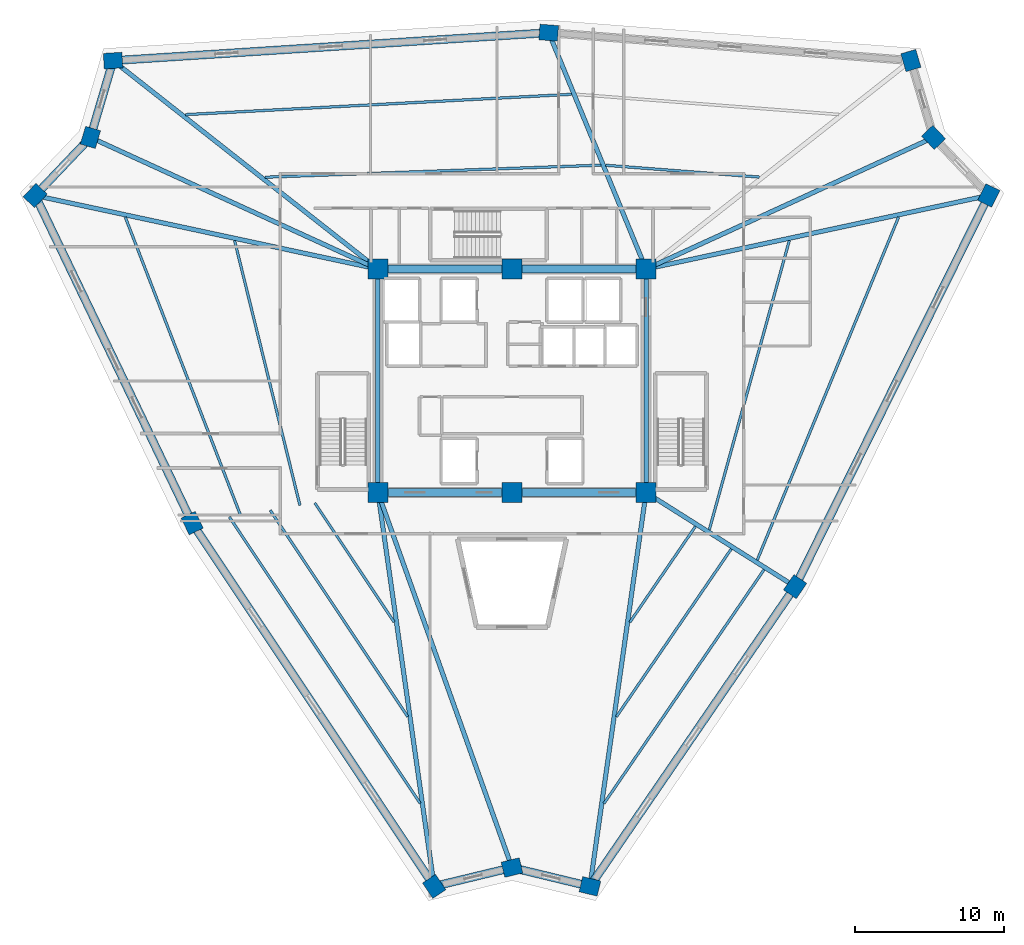
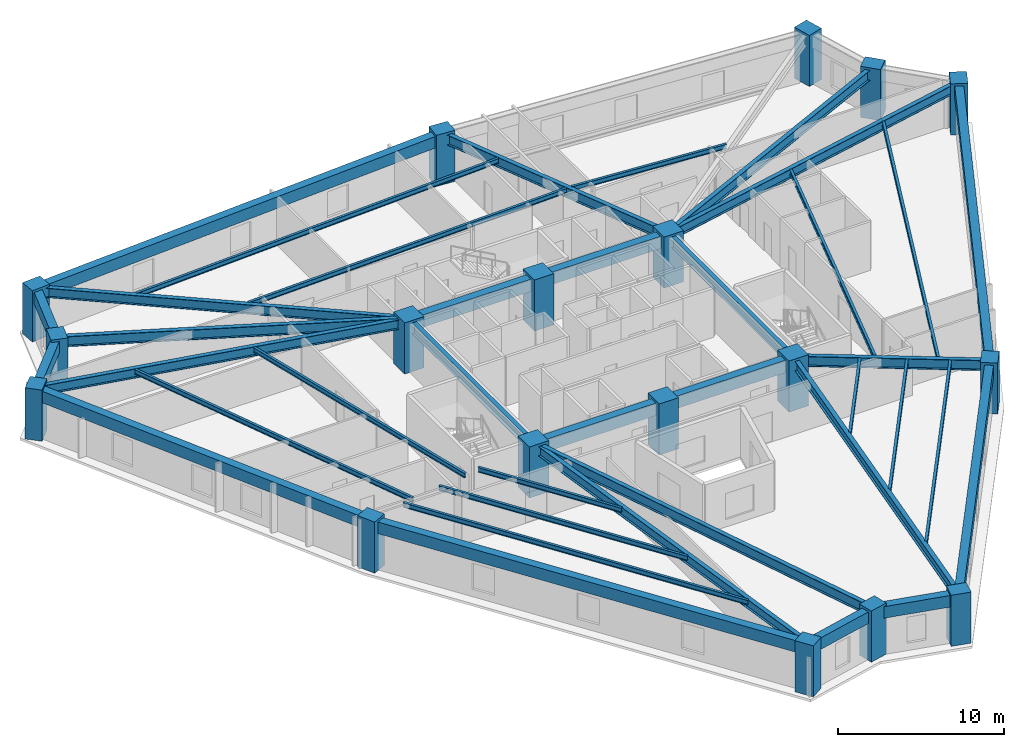
# One storey, part 1 of 8: 38 beams, 18 columns.
"""IFC4 building model written with IfcOpenShell, lengths in metres."""

import ifcopenshell
import ifcopenshell.guid

model = None  # the IFC model being written
_history = None  # IfcOwnerHistory: only IFC2X3 demands one
_inside = {}  # id of a spatial element -> (the spatial element, [elements in it])
_under = {}  # id of a project, library or spatial element -> (it, [spatial elements below it])
_declared = {}  # id of a project -> (the project, [libraries it declares])
_typed = {}  # id of a type object -> (the type object, [elements of that type])
_made_of = {}  # id of a material, layer set ... -> (it, [elements and type objects made of it])


def new_model(schema):
    """Start an empty IFC model of exactly this schema.

    Asked for "IFC4X3", IfcOpenShell would pick the latest addendum, in which some entities
    have other attributes; the version numbers below select the first issue.
    IFC2X3 requires an IfcOwnerHistory on every rooted entity: one is made here for all.
    """
    global model, _history
    if schema == "IFC4X3":
        model = ifcopenshell.file(schema_version=(4, 3, 0, 0))
    else:
        model = ifcopenshell.file(schema=schema)
    _inside.clear()
    _under.clear()
    _declared.clear()
    _typed.clear()
    _made_of.clear()
    _history = None
    if model.schema == "IFC2X3":
        org = make("IfcOrganization", Name="unknown")
        user = make(
            "IfcPersonAndOrganization",
            ThePerson=make("IfcPerson", FamilyName="unknown"),
            TheOrganization=org,
        )
        app = make(
            "IfcApplication",
            ApplicationDeveloper=org,
            Version="unknown",
            ApplicationFullName="unknown",
            ApplicationIdentifier="unknown",
        )
        _history = make(
            "IfcOwnerHistory",
            OwningUser=user,
            OwningApplication=app,
            ChangeAction="ADDED",
            CreationDate=0,
        )
    return model


def make(cls, **values):
    """One entity of the class cls with the attributes given. An attribute that is None is left unset."""
    return model.create_entity(
        cls, **{name: value for name, value in values.items() if value is not None}
    )


def rooted(cls, **values):
    """An entity with a GlobalId (a new one), such as an element, a storey or a relation."""
    return make(cls, GlobalId=ifcopenshell.guid.new(), OwnerHistory=_history, **values)


def si_unit(unit_type, name, prefix=None):
    """IfcSIUnit, for example si_unit("LENGTHUNIT", "METRE", prefix="MILLI")."""
    return make("IfcSIUnit", UnitType=unit_type, Prefix=prefix, Name=name)


def assignment(units):
    """IfcUnitAssignment: the units of a project."""
    return None if units is None else make("IfcUnitAssignment", Units=units)


def point(xyz):
    """IfcCartesianPoint."""
    return None if xyz is None else make("IfcCartesianPoint", Coordinates=xyz)


def direction(xyz):
    """IfcDirection."""
    return None if xyz is None else make("IfcDirection", DirectionRatios=xyz)


def frame(location, z_axis=None, x_axis=None):
    """IfcAxis2Placement3D, a coordinate frame: its origin and axes. An axis left out is left unset."""
    return make(
        "IfcAxis2Placement3D",
        Location=point(location),
        Axis=direction(z_axis),
        RefDirection=direction(x_axis),
    )


def frame_2d(location, x_axis=None):
    """IfcAxis2Placement2D, a coordinate frame in the plane: its origin and x axis."""
    return make(
        "IfcAxis2Placement2D", Location=point(location), RefDirection=direction(x_axis)
    )


def origin():
    """The frame at (0, 0, 0) with its axes left unset."""
    return frame((0.0, 0.0, 0.0))


def origin_2d():
    """The frame at (0, 0) in the plane with its x axis left unset."""
    return frame_2d((0.0, 0.0))


def place(relative_to, where):
    """IfcLocalPlacement: puts the frame where relative to a parent placement (None: the world)."""
    return make(
        "IfcLocalPlacement", PlacementRelTo=relative_to, RelativePlacement=where
    )


def context(
    kind, dimensions, precision=None, world=None, true_north=None, identifier=None
):
    """IfcGeometricRepresentationContext, for example the 3D "Model" context."""
    return make(
        "IfcGeometricRepresentationContext",
        ContextIdentifier=identifier,
        ContextType=kind,
        CoordinateSpaceDimension=dimensions,
        Precision=precision,
        WorldCoordinateSystem=world,
        TrueNorth=true_north,
    )


def subcontext(parent, identifier, kind, view, scale=None):
    """IfcGeometricRepresentationSubContext, for example "Body" below "Model"."""
    return make(
        "IfcGeometricRepresentationSubContext",
        ContextIdentifier=identifier,
        ContextType=kind,
        ParentContext=parent,
        TargetScale=scale,
        TargetView=view,
    )


def project(units=None, contexts=None):
    """IfcProject with its units and contexts."""
    return rooted(
        "IfcProject",
        Name="project",
        RepresentationContexts=contexts,
        UnitsInContext=assignment(units),
    )


def spatial(cls, under=None, at=None, **own):
    """A site, building, storey or space (cls), placed at a placement, below another one or the project."""
    s = rooted(cls, ObjectPlacement=at, **own)
    if under is not None:
        _under.setdefault(under.id(), (under, []))[1].append(s)
    return s


def profile(cls, at=None, kind="AREA", **sizes):
    """A parametric profile (cls). Its sizes go by their IFC names, for example OverallWidth=200.0."""
    return make(cls, ProfileType=kind, Position=at, **sizes)


def rectangle(**sizes):
    """IfcRectangleProfileDef."""
    return profile("IfcRectangleProfileDef", **sizes)


def i_section(**sizes):
    """IfcIShapeProfileDef."""
    return profile("IfcIShapeProfileDef", **sizes)


def extrude(swept, where, along, depth):
    """IfcExtrudedAreaSolid: the profile swept, set in the frame where, extruded along a direction by depth."""
    return make(
        "IfcExtrudedAreaSolid",
        SweptArea=swept,
        Position=where,
        ExtrudedDirection=direction(along),
        Depth=depth,
    )


def shape(context_of_items, identifier, shape_type, items):
    """IfcShapeRepresentation: the items that make up one representation, for example the "Body"."""
    return make(
        "IfcShapeRepresentation",
        ContextOfItems=context_of_items,
        RepresentationIdentifier=identifier,
        RepresentationType=shape_type,
        Items=items,
    )


def source(mapping_origin, context_of_items, identifier, shape_type, items):
    """IfcRepresentationMap: a shape defined once, which mapped items show again and again."""
    return make(
        "IfcRepresentationMap",
        MappingOrigin=mapping_origin,
        MappedRepresentation=shape(context_of_items, identifier, shape_type, items),
    )


def transform(
    local_origin,
    x_axis=None,
    y_axis=None,
    z_axis=None,
    scale=None,
    scale2=None,
    scale3=None,
    uniform=True,
):
    """IfcCartesianTransformationOperator3D, or its non-uniform kind. x_axis, y_axis, z_axis: its Axis1, 2, 3."""
    if uniform:
        return make(
            "IfcCartesianTransformationOperator3D",
            Axis1=direction(x_axis),
            Axis2=direction(y_axis),
            LocalOrigin=point(local_origin),
            Scale=scale,
            Axis3=direction(z_axis),
        )
    return make(
        "IfcCartesianTransformationOperator3DnonUniform",
        Axis1=direction(x_axis),
        Axis2=direction(y_axis),
        LocalOrigin=point(local_origin),
        Scale=scale,
        Axis3=direction(z_axis),
        Scale2=scale2,
        Scale3=scale3,
    )


def mapped(mapping_source, mapping_target):
    """IfcMappedItem: shows the shape of a source again, moved by a transform."""
    return make(
        "IfcMappedItem", MappingSource=mapping_source, MappingTarget=mapping_target
    )


def material(Name=None, Category=None):
    """IfcMaterial."""
    return make("IfcMaterial", Name=Name, Category=Category)


def material_profile(
    of_material, cross_section, Name=None, Category=None, Priority=None
):
    """IfcMaterialProfile: a cross section and its material."""
    return make(
        "IfcMaterialProfile",
        Name=Name,
        Material=of_material,
        Profile=cross_section,
        Priority=Priority,
        Category=Category,
    )


def profile_set(profiles, Name=None, composite=None):
    """IfcMaterialProfileSet."""
    return make(
        "IfcMaterialProfileSet",
        Name=Name,
        MaterialProfiles=profiles,
        CompositeProfile=composite,
    )


def made_of(thing, what):
    """Note that an element or type object is made of a material, layer set ...; save() writes the relation."""
    if what is not None:
        _made_of.setdefault(what.id(), (what, []))[1].append(thing)
    return thing


def type_object(cls, material=None, **own):
    """A type object (cls), such as IfcWallType, which elements share."""
    return made_of(rooted(cls, **own), material)


def element(
    cls,
    number,
    at=None,
    inside=None,
    cuts=None,
    type_object=None,
    material=None,
    context=None,
    identifier="Body",
    shape_type=None,
    held_by="IfcProductDefinitionShape",
    body=None,
    shapes=None,
    **own,
):
    """One element of the class cls, such as IfcWall. Its Tag is "e" and its number.

    at: its placement. inside: the storey or other place that contains it. cuts: it is an
    opening in that element (IfcRelVoidsElement). A single representation is given by context,
    identifier, shape_type and body (its items); several are given by shapes. held_by: the class
    of the entity that holds the representations. save() writes the other relations.
    """
    e = rooted(cls, Tag="e%d" % number, ObjectPlacement=at, **own)
    if body is not None:
        shapes = [shape(context, identifier, shape_type, body)]
    if shapes is not None:
        e.Representation = make(held_by, Representations=shapes)
    if inside is not None:
        _inside.setdefault(inside.id(), (inside, []))[1].append(e)
    if cuts is not None:
        rooted(
            "IfcRelVoidsElement", RelatingBuildingElement=cuts, RelatedOpeningElement=e
        )
    if type_object is not None:
        _typed.setdefault(type_object.id(), (type_object, []))[1].append(e)
    return made_of(e, material)


def aggregate(whole, parts):
    """IfcRelAggregates: a whole, such as a stair, and the parts it consists of."""
    return rooted("IfcRelAggregates", RelatingObject=whole, RelatedObjects=parts)


def save(model, path):
    """Write the relations noted so far, then the file.

    IfcRelAggregates (storeys below a building ...), IfcRelContainedInSpatialStructure (elements
    in a storey), IfcRelDefinesByType, IfcRelAssociatesMaterial and IfcRelDeclares: one each for
    every whole, place, type object, material and project.
    """
    for whole, parts in _under.values():
        aggregate(whole, parts)
    for where, things in _inside.values():
        rooted(
            "IfcRelContainedInSpatialStructure",
            RelatedElements=things,
            RelatingStructure=where,
        )
    for kind, things in _typed.values():
        rooted("IfcRelDefinesByType", RelatedObjects=things, RelatingType=kind)
    for what, things in _made_of.values():
        rooted("IfcRelAssociatesMaterial", RelatedObjects=things, RelatingMaterial=what)
    for by, libraries in _declared.values():
        rooted("IfcRelDeclares", RelatingContext=by, RelatedDefinitions=libraries)
    model.write(path)


model = new_model("IFC4")

# Units and contexts
model_context = context("Model", 3, precision=1e-05, world=origin(), true_north=direction((0.0, 1.0)))
body_context = subcontext(model_context, "Body", "Model", "MODEL_VIEW")
ifc_project = project(units=[si_unit("LENGTHUNIT", "METRE"), si_unit("AREAUNIT", "SQUARE_METRE"), si_unit("VOLUMEUNIT", "CUBIC_METRE"), si_unit("PLANEANGLEUNIT", "RADIAN"), si_unit("MASSUNIT", "GRAM", prefix="KILO")], contexts=[model_context])

# Site, building, storey
site_placement = place(None, origin())
site = spatial("IfcSite", under=ifc_project, at=site_placement, CompositionType="ELEMENT")
building_placement = place(site_placement, origin())
building = spatial("IfcBuilding", under=site, at=building_placement, Name="Liaohun Quay Tower", CompositionType="ELEMENT")
storey_placement = place(building_placement, frame((0.0, 0.0, 251.25)))
storey = spatial("IfcBuildingStorey", under=building, at=storey_placement, Name="L65", CompositionType="ELEMENT", Elevation=251.25)

# Columns
ifc_material_1 = material(Name="Concrete C55", Category="concrete")
ifc_material_profile_1 = material_profile(ifc_material_1, rectangle(XDim=1.35009765625, YDim=1.35009765625, at=origin_2d()), Name="RC1350x1350")
ifc_profile_set_1 = profile_set([ifc_material_profile_1], Name="Concrete C55")
column_type_1 = type_object("IfcColumnType", Name="COL-CC-Z3", PredefinedType="COLUMN", material=ifc_profile_set_1)
shared_shape_1 = source(origin(), body_context, "Body", "SweptSolid", [
    extrude(rectangle(XDim=1.35009765625, YDim=1.35009765625, at=origin_2d()), origin(), (0.0, 0.0, 1.0), 3.75),
])
for number, where, z_axis, x_axis, name in (
    (1, (51.0, 46.5, 0.0), (0.0, 0.0, 1.0), (1.0, 0.0, 0.0), "L65 Core Column CC1"),
    (2, (60.0, 46.5, 0.0), (0.0, 0.0, 1.0), (1.0, 0.0, 0.0), "L65 Core Column CC2"),
    (3, (69.0, 46.5, 0.0), (0.0, 0.0, 1.0), (1.0, 0.0, 0.0), "L65 Core Column CC3"),
    (4, (69.0, 61.5, 0.0), (0.0, 0.0, 1.0), (1.0, 0.0, 0.0), "L65 Core Column CC4"),
    (5, (60.0, 61.5, 0.0), (0.0, 0.0, 1.0), (1.0, 0.0, 0.0), "L65 Core Column CC5"),
    (6, (51.0, 61.5, 0.0), (0.0, 0.0, 1.0), (1.0, 0.0, 0.0), "L65 Core Column CC6"),
):
    element("IfcColumn", number, at=place(storey_placement, frame(where, z_axis=z_axis, x_axis=x_axis)), inside=storey, type_object=column_type_1, Name=name, PredefinedType="COLUMN", context=body_context, shape_type="MappedRepresentation", body=[
        mapped(shared_shape_1, transform((0.0, 0.0, 0.0), x_axis=(1.0, 0.0, 0.0), y_axis=(0.0, 1.0, 0.0), z_axis=(0.0, 0.0, 1.0), scale=1.0)),
    ])
ifc_material_profile_2 = material_profile(ifc_material_1, rectangle(XDim=1.25, YDim=1.050048828125, at=origin_2d()), Name="RC1250x1050")
ifc_profile_set_2 = profile_set([ifc_material_profile_2], Name="Concrete C55")
column_type_2 = type_object("IfcColumnType", Name="COL-PIER-Z3", PredefinedType="COLUMN", material=ifc_profile_set_2)
shared_shape_2 = source(origin(), body_context, "Body", "SweptSolid", [
    extrude(rectangle(XDim=1.25, YDim=1.050048828125, at=origin_2d()), origin(), (0.0, 0.0, 1.0), 3.75),
])
for number, where, z_axis, x_axis, name in (
    (7, (54.77587890625, 20.06005859375, 0.0), (0.0, 0.0, 1.0), (-0.554408741251, 0.832244523938, 0.0), "L65 Perimeter Pier PC01"),
    (8, (38.530029296875, 44.447998046875, 0.0), (0.0, 0.0, 1.0), (-0.432243141689, 0.90175709948, 0.0), "L65 Perimeter Pier PC02"),
    (9, (27.989990234375, 66.44091796875, 0.0), (0.0, 0.0, 1.0), (0.68936671806, 0.724412539946, 0.0), "L65 Perimeter Pier PC03"),
    (10, (31.698974609375, 70.339111328125, 0.0), (0.0, 0.0, 1.0), (0.28284371374, 0.959166009405, 0.0), "L65 Perimeter Pier PC04"),
    (11, (33.218994140625, 75.493896484375, 0.0), (0.0, 0.0, 1.0), (0.997949270516, 0.064009792035, 0.0), "L65 Perimeter Pier PC05"),
    (12, (62.464111328125, 77.3701171875, 0.0), (0.0, 0.0, 1.0), (-0.997066127037, 0.076545008426, 0.0), "L65 Perimeter Pier PC06"),
    (13, (86.778076171875, 75.5009765625, 0.0), (0.0, 0.0, 1.0), (-0.28284371374, 0.959166009405, 0.0), "L65 Perimeter Pier PC07"),
    (14, (88.301025390625, 70.339111328125, 0.0), (0.0, 0.0, 1.0), (-0.68936671806, 0.724412539946, 0.0), "L65 Perimeter Pier PC08"),
    (15, (92.0048828125, 66.446044921875, 0.0), (0.0, 0.0, 1.0), (0.443540529265, 0.896254315973, 0.0), "L65 Perimeter Pier PC09"),
    (16, (79.008056640625, 40.181884765625, 0.0), (0.0, 0.0, 1.0), (0.564822985348, 0.825212091054, 0.0), "L65 Perimeter Pier PC10"),
    (17, (65.23193359375, 20.05810546875, 0.0), (0.0, 0.0, 1.0), (-0.972043021443, 0.234802820391, 0.0), "L65 Perimeter Pier PC11"),
    (18, (60.0, 21.321044921875, 0.0), (0.0, 0.0, 1.0), (0.972043021443, 0.234802820391, 0.0), "L65 Perimeter Pier PC12"),
):
    element("IfcColumn", number, at=place(storey_placement, frame(where, z_axis=z_axis, x_axis=x_axis)), inside=storey, type_object=column_type_2, Name=name, PredefinedType="COLUMN", context=body_context, shape_type="MappedRepresentation", body=[
        mapped(shared_shape_2, transform((0.0, 0.0, 0.0), x_axis=(1.0, 0.0, 0.0), y_axis=(0.0, 1.0, 0.0), z_axis=(0.0, 0.0, 1.0), scale=1.0)),
    ])

# Beams
ifc_material_2 = material(Name="Steel Q355D", Category="steel")
ifc_material_profile_3 = material_profile(ifc_material_2, i_section(OverallWidth=0.300048828125, OverallDepth=0.800048828125, WebThickness=0.013916015625, FlangeThickness=0.02587890625, at=origin_2d()), Name="HN800x300x14x26")
ifc_profile_set_3 = profile_set([ifc_material_profile_3], Name="Steel Q355D")
beam_type_1 = type_object("IfcBeamType", Name="BM-RAD-M1", PredefinedType="BEAM", material=ifc_profile_set_3)
shared_shape_3 = source(origin(), body_context, "Body", "SweptSolid", [
    extrude(i_section(OverallWidth=0.300048828125, OverallDepth=0.800048828125, WebThickness=0.013916015625, FlangeThickness=0.02587890625, at=origin_2d()), origin(), (0.0, 0.0, 1.0), 15.0),
])
for number, where, z_axis, x_axis, name in (
    (19, (69.0, 46.5, 3.169921875), (0.0, 1.0, 0.0), (-1.0, 0.0, 0.0), "L65 Core Coupling/Ring Beam CC3-CC4"),
    (20, (51.0, 61.5, 3.169921875), (0.0, -1.0, 0.0), (1.0, 0.0, 0.0), "L65 Core Coupling/Ring Beam CC6-CC1"),
):
    element("IfcBeam", number, at=place(storey_placement, frame(where, z_axis=z_axis, x_axis=x_axis)), inside=storey, type_object=beam_type_1, Name=name, PredefinedType="BEAM", context=body_context, shape_type="MappedRepresentation", body=[
        mapped(shared_shape_3, transform((0.0, 0.0, 0.0), x_axis=(1.0, 0.0, 0.0), y_axis=(0.0, 1.0, 0.0), z_axis=(0.0, 0.0, 1.0), scale=1.0)),
    ])
ifc_material_profile_4 = material_profile(ifc_material_1, rectangle(XDim=0.550048828125, YDim=0.89990234375, at=origin_2d()), Name="RC550x900")
ifc_profile_set_4 = profile_set([ifc_material_profile_4], Name="Concrete C55")
beam_type_2 = type_object("IfcBeamType", Name="BM-CPL-2", PredefinedType="LINTEL", material=ifc_profile_set_4)
shared_shape_4 = source(origin(), body_context, "Body", "SweptSolid", [
    extrude(rectangle(XDim=0.550048828125, YDim=0.89990234375, at=origin_2d()), origin(), (0.0, 0.0, 1.0), 9.0),
])
for number, where, z_axis, x_axis, name in (
    (21, (51.0, 46.5, 3.1201171875), (1.0, 0.0, 0.0), (0.0, 1.0, 0.0), "L65 Core Coupling/Ring Beam CC1-CC2"),
    (22, (60.0, 46.5, 3.1201171875), (1.0, 0.0, 0.0), (0.0, 1.0, 0.0), "L65 Core Coupling/Ring Beam CC2-CC3"),
    (23, (69.0, 61.5, 3.1201171875), (-1.0, 0.0, 0.0), (0.0, -1.0, 0.0), "L65 Core Coupling/Ring Beam CC4-CC5"),
    (24, (60.0, 61.5, 3.1201171875), (-1.0, 0.0, 0.0), (0.0, -1.0, 0.0), "L65 Core Coupling/Ring Beam CC5-CC6"),
):
    element("IfcBeam", number, at=place(storey_placement, frame(where, z_axis=z_axis, x_axis=x_axis)), inside=storey, type_object=beam_type_2, Name=name, PredefinedType="LINTEL", context=body_context, shape_type="MappedRepresentation", body=[
        mapped(shared_shape_4, transform((0.0, 0.0, 0.0), x_axis=(1.0, 0.0, 0.0), y_axis=(0.0, 1.0, 0.0), z_axis=(0.0, 0.0, 1.0), scale=1.0)),
    ])
ifc_material_profile_5 = material_profile(ifc_material_2, i_section(OverallWidth=0.300048828125, OverallDepth=0.699951171875, WebThickness=0.012939453125, FlangeThickness=0.02392578125, at=origin_2d()), Name="HN700x300x13x24")
ifc_profile_set_5 = profile_set([ifc_material_profile_5], Name="Steel Q355D")
beam_type_3 = type_object("IfcBeamType", Name="BM-RAD-U1", PredefinedType="BEAM", material=ifc_profile_set_5)
shared_shape_5 = source(origin(), body_context, "Body", "SweptSolid", [
    extrude(i_section(OverallWidth=0.300048828125, OverallDepth=0.699951171875, WebThickness=0.012939453125, FlangeThickness=0.02392578125, at=origin_2d()), origin(), (0.0, 0.0, 1.0), 26.708251953125),
])
beam_1_placement = place(storey_placement, frame((51.0, 46.5, 3.219970703125), z_axis=(0.141375285255, -0.989956074136, 0.0), x_axis=(0.989956074136, 0.141375285255, 0.0)))
element("IfcBeam", 25, at=beam_1_placement, inside=storey, type_object=beam_type_3, Name="L65 Radial Primary Girder CC1-PC01", PredefinedType="BEAM", context=body_context, shape_type="MappedRepresentation", body=[
    mapped(shared_shape_5, transform((0.0, 0.0, 0.0), x_axis=(1.0, 0.0, 0.0), y_axis=(0.0, 1.0, 0.0), z_axis=(0.0, 0.0, 1.0), scale=1.0)),
])
shared_shape_6 = source(origin(), body_context, "Body", "SweptSolid", [
    extrude(i_section(OverallWidth=0.300048828125, OverallDepth=0.699951171875, WebThickness=0.012939453125, FlangeThickness=0.02392578125, at=origin_2d()), origin(), (0.0, 0.0, 1.0), 23.534423828125),
])
beam_2_placement = place(storey_placement, frame((51.0, 61.5, 3.219970703125), z_axis=(-0.977713517011, 0.209943513006, 0.0), x_axis=(-0.209943513006, -0.977713517011, 0.0)))
element("IfcBeam", 26, at=beam_2_placement, inside=storey, type_object=beam_type_3, Name="L65 Radial Primary Girder CC6-PC03", PredefinedType="BEAM", context=body_context, shape_type="MappedRepresentation", body=[
    mapped(shared_shape_6, transform((0.0, 0.0, 0.0), x_axis=(1.0, 0.0, 0.0), y_axis=(0.0, 1.0, 0.0), z_axis=(0.0, 0.0, 1.0), scale=1.0)),
])
ifc_material_profile_6 = material_profile(ifc_material_2, i_section(OverallWidth=0.300048828125, OverallDepth=0.75, WebThickness=0.013916015625, FlangeThickness=0.02587890625, at=origin_2d()), Name="HN750x300x14x26")
ifc_profile_set_6 = profile_set([ifc_material_profile_6], Name="Steel Q355D")
beam_type_4 = type_object("IfcBeamType", Name="BM-RAD-M2", PredefinedType="BEAM", material=ifc_profile_set_6)
shared_shape_7 = source(origin(), body_context, "Body", "SweptSolid", [
    extrude(i_section(OverallWidth=0.300048828125, OverallDepth=0.75, WebThickness=0.013916015625, FlangeThickness=0.02587890625, at=origin_2d()), origin(), (0.0, 0.0, 1.0), 21.228759765625),
])
for number, where, z_axis, x_axis, name in (
    (27, (51.0, 61.5, 3.195068359375), (-0.90919310001, 0.416374719327, 0.0), (-0.416374719327, -0.90919310001, 0.0), "L65 Radial Primary Girder CC6-PC04"),
    (28, (69.0, 61.5, 3.195068359375), (0.90919310001, 0.416374719327, 0.0), (-0.416374719327, 0.90919310001, 0.0), "L65 Radial Primary Girder CC4-PC08"),
):
    element("IfcBeam", number, at=place(storey_placement, frame(where, z_axis=z_axis, x_axis=x_axis)), inside=storey, type_object=beam_type_4, Name=name, PredefinedType="BEAM", context=body_context, shape_type="MappedRepresentation", body=[
        mapped(shared_shape_7, transform((0.0, 0.0, 0.0), x_axis=(1.0, 0.0, 0.0), y_axis=(0.0, 1.0, 0.0), z_axis=(0.0, 0.0, 1.0), scale=1.0)),
    ])
shared_shape_8 = source(origin(), body_context, "Body", "SweptSolid", [
    extrude(i_section(OverallWidth=0.300048828125, OverallDepth=0.699951171875, WebThickness=0.012939453125, FlangeThickness=0.02392578125, at=origin_2d()), origin(), (0.0, 0.0, 1.0), 22.627197265625),
])
beam_3_placement = place(storey_placement, frame((51.0, 61.5, 3.219970703125), z_axis=(-0.785821999061, 0.618452735294, 0.0), x_axis=(-0.618452735294, -0.785821999061, 0.0)))
element("IfcBeam", 29, at=beam_3_placement, inside=storey, type_object=beam_type_3, Name="L65 Radial Primary Girder CC6-PC05", PredefinedType="BEAM", context=body_context, shape_type="MappedRepresentation", body=[
    mapped(shared_shape_8, transform((0.0, 0.0, 0.0), x_axis=(1.0, 0.0, 0.0), y_axis=(0.0, 1.0, 0.0), z_axis=(0.0, 0.0, 1.0), scale=1.0)),
])
shared_shape_9 = source(origin(), body_context, "Body", "SweptSolid", [
    extrude(i_section(OverallWidth=0.300048828125, OverallDepth=0.75, WebThickness=0.013916015625, FlangeThickness=0.02587890625, at=origin_2d()), origin(), (0.0, 0.0, 1.0), 17.163330078125),
])
beam_4_placement = place(storey_placement, frame((69.0, 61.5, 3.195068359375), z_axis=(-0.380806324116, 0.924654823982, 0.0), x_axis=(-0.924654823982, -0.380806324116, 0.0)))
element("IfcBeam", 30, at=beam_4_placement, inside=storey, type_object=beam_type_4, Name="L65 Radial Primary Girder CC4-PC06", PredefinedType="BEAM", context=body_context, shape_type="MappedRepresentation", body=[
    mapped(shared_shape_9, transform((0.0, 0.0, 0.0), x_axis=(1.0, 0.0, 0.0), y_axis=(0.0, 1.0, 0.0), z_axis=(0.0, 0.0, 1.0), scale=1.0)),
])
shared_shape_10 = source(origin(), body_context, "Body", "SweptSolid", [
    extrude(i_section(OverallWidth=0.300048828125, OverallDepth=0.699951171875, WebThickness=0.012939453125, FlangeThickness=0.02392578125, at=origin_2d()), origin(), (0.0, 0.0, 1.0), 23.530517578125),
])
beam_5_placement = place(storey_placement, frame((69.0, 61.5, 3.219970703125), z_axis=(0.977659156704, 0.210196511182, 0.0), x_axis=(-0.210196511182, 0.977659156704, 0.0)))
element("IfcBeam", 31, at=beam_5_placement, inside=storey, type_object=beam_type_3, Name="L65 Radial Primary Girder CC4-PC09", PredefinedType="BEAM", context=body_context, shape_type="MappedRepresentation", body=[
    mapped(shared_shape_10, transform((0.0, 0.0, 0.0), x_axis=(1.0, 0.0, 0.0), y_axis=(0.0, 1.0, 0.0), z_axis=(0.0, 0.0, 1.0), scale=1.0)),
])
shared_shape_11 = source(origin(), body_context, "Body", "SweptSolid", [
    extrude(i_section(OverallWidth=0.300048828125, OverallDepth=0.75, WebThickness=0.013916015625, FlangeThickness=0.02587890625, at=origin_2d()), origin(), (0.0, 0.0, 1.0), 11.83544921875),
])
beam_6_placement = place(storey_placement, frame((69.0, 46.5, 3.195068359375), z_axis=(0.845594272017, -0.533826120692, 0.0), x_axis=(0.533826120692, 0.845594272017, 0.0)))
element("IfcBeam", 32, at=beam_6_placement, inside=storey, type_object=beam_type_4, Name="L65 Radial Primary Girder CC3-PC10", PredefinedType="BEAM", context=body_context, shape_type="MappedRepresentation", body=[
    mapped(shared_shape_11, transform((0.0, 0.0, 0.0), x_axis=(1.0, 0.0, 0.0), y_axis=(0.0, 1.0, 0.0), z_axis=(0.0, 0.0, 1.0), scale=1.0)),
])
shared_shape_12 = source(origin(), body_context, "Body", "SweptSolid", [
    extrude(i_section(OverallWidth=0.300048828125, OverallDepth=0.699951171875, WebThickness=0.012939453125, FlangeThickness=0.02392578125, at=origin_2d()), origin(), (0.0, 0.0, 1.0), 26.708984375),
])
beam_7_placement = place(storey_placement, frame((69.0, 46.5, 3.219970703125), z_axis=(-0.141078386686, -0.989998428691, 0.0), x_axis=(0.989998428691, -0.141078386686, 0.0)))
element("IfcBeam", 33, at=beam_7_placement, inside=storey, type_object=beam_type_3, Name="L65 Radial Primary Girder CC3-PC11", PredefinedType="BEAM", context=body_context, shape_type="MappedRepresentation", body=[
    mapped(shared_shape_12, transform((0.0, 0.0, 0.0), x_axis=(1.0, 0.0, 0.0), y_axis=(0.0, 1.0, 0.0), z_axis=(0.0, 0.0, 1.0), scale=1.0)),
])
shared_shape_13 = source(origin(), body_context, "Body", "SweptSolid", [
    extrude(i_section(OverallWidth=0.300048828125, OverallDepth=0.75, WebThickness=0.013916015625, FlangeThickness=0.02587890625, at=origin_2d()), origin(), (0.0, 0.0, 1.0), 26.739013671875),
])
beam_8_placement = place(storey_placement, frame((51.0, 46.5, 3.195068359375), z_axis=(0.336585675987, -0.941652846181, 0.0), x_axis=(0.941652846181, 0.336585675987, 0.0)))
element("IfcBeam", 34, at=beam_8_placement, inside=storey, type_object=beam_type_4, Name="L65 Radial Primary Girder CC1-PC12", PredefinedType="BEAM", context=body_context, shape_type="MappedRepresentation", body=[
    mapped(shared_shape_13, transform((0.0, 0.0, 0.0), x_axis=(1.0, 0.0, 0.0), y_axis=(0.0, 1.0, 0.0), z_axis=(0.0, 0.0, 1.0), scale=1.0)),
])
ifc_material_profile_7 = material_profile(ifc_material_2, i_section(OverallWidth=0.175048828125, OverallDepth=0.35009765625, WebThickness=0.007080078125, FlangeThickness=0.010986328125, at=origin_2d()), Name="HN350x175x7x11")
ifc_profile_set_7 = profile_set([ifc_material_profile_7], Name="Steel Q355D")
beam_type_5 = type_object("IfcBeamType", Name="BM-SEC-J3", PredefinedType="JOIST", material=ifc_profile_set_7)
shared_shape_14 = source(origin(), body_context, "Body", "SweptSolid", [
    extrude(i_section(OverallWidth=0.175048828125, OverallDepth=0.35009765625, WebThickness=0.007080078125, FlangeThickness=0.010986328125, at=origin_2d()), origin(), (0.0, 0.0, 1.0), 9.615234375),
])
beam_9_placement = place(storey_placement, frame((52.091064453125, 37.800048828125, 3.39501953125), z_axis=(-0.554442351207, 0.83222213332, 0.0), x_axis=(-0.83222213332, -0.554442351207, 0.0)))
element("IfcBeam", 35, at=beam_9_placement, inside=storey, type_object=beam_type_5, Name="L65 Wing Secondary Floor Joist SJ-01", PredefinedType="JOIST", context=body_context, shape_type="MappedRepresentation", body=[
    mapped(shared_shape_14, transform((0.0, 0.0, 0.0), x_axis=(1.0, 0.0, 0.0), y_axis=(0.0, 1.0, 0.0), z_axis=(0.0, 0.0, 1.0), scale=1.0)),
])
shared_shape_15 = source(origin(), body_context, "Body", "SweptSolid", [
    extrude(i_section(OverallWidth=0.175048828125, OverallDepth=0.35009765625, WebThickness=0.007080078125, FlangeThickness=0.010986328125, at=origin_2d()), origin(), (0.0, 0.0, 1.0), 16.648681640625),
])
beam_10_placement = place(storey_placement, frame((52.9970703125, 31.4541015625, 3.39501953125), z_axis=(-0.554395594444, 0.832253281677, 0.0), x_axis=(-0.832253281677, -0.554395594444, 0.0)))
element("IfcBeam", 36, at=beam_10_placement, inside=storey, type_object=beam_type_5, Name="L65 Wing Secondary Floor Joist SJ-02", PredefinedType="JOIST", context=body_context, shape_type="MappedRepresentation", body=[
    mapped(shared_shape_15, transform((0.0, 0.0, 0.0), x_axis=(1.0, 0.0, 0.0), y_axis=(0.0, 1.0, 0.0), z_axis=(0.0, 0.0, 1.0), scale=1.0)),
])
shared_shape_16 = source(origin(), body_context, "Body", "SweptSolid", [
    extrude(i_section(OverallWidth=0.175048828125, OverallDepth=0.35009765625, WebThickness=0.007080078125, FlangeThickness=0.010986328125, at=origin_2d()), origin(), (0.0, 0.0, 1.0), 23.09423828125),
])
beam_11_placement = place(storey_placement, frame((53.827880859375, 25.637939453125, 3.39501953125), z_axis=(-0.554419614715, 0.832237280359, 0.0), x_axis=(-0.832237280359, -0.554419614715, 0.0)))
element("IfcBeam", 37, at=beam_11_placement, inside=storey, type_object=beam_type_5, Name="L65 Wing Secondary Floor Joist SJ-03", PredefinedType="JOIST", context=body_context, shape_type="MappedRepresentation", body=[
    mapped(shared_shape_16, transform((0.0, 0.0, 0.0), x_axis=(1.0, 0.0, 0.0), y_axis=(0.0, 1.0, 0.0), z_axis=(0.0, 0.0, 1.0), scale=1.0)),
])
shared_shape_17 = source(origin(), body_context, "Body", "SweptSolid", [
    extrude(i_section(OverallWidth=0.175048828125, OverallDepth=0.35009765625, WebThickness=0.007080078125, FlangeThickness=0.010986328125, at=origin_2d()), origin(), (0.0, 0.0, 1.0), 18.30859375),
])
beam_12_placement = place(storey_placement, frame((45.762939453125, 45.637939453125, 3.39501953125), z_axis=(-0.239613415193, 0.970868379987, 0.0), x_axis=(-0.970868379987, -0.239613415193, 0.0)))
element("IfcBeam", 38, at=beam_12_placement, inside=storey, type_object=beam_type_5, Name="L65 Wing Secondary Floor Joist SJ-04", PredefinedType="JOIST", context=body_context, shape_type="MappedRepresentation", body=[
    mapped(shared_shape_17, transform((0.0, 0.0, 0.0), x_axis=(1.0, 0.0, 0.0), y_axis=(0.0, 1.0, 0.0), z_axis=(0.0, 0.0, 1.0), scale=1.0)),
])
shared_shape_18 = source(origin(), body_context, "Body", "SweptSolid", [
    extrude(i_section(OverallWidth=0.175048828125, OverallDepth=0.35009765625, WebThickness=0.007080078125, FlangeThickness=0.010986328125, at=origin_2d()), origin(), (0.0, 0.0, 1.0), 21.4501953125),
])
beam_13_placement = place(storey_placement, frame((41.77197265625, 44.98193359375, 3.39501953125), z_axis=(-0.360596213597, 0.932722022223, 0.0), x_axis=(-0.932722022223, -0.360596213597, 0.0)))
element("IfcBeam", 39, at=beam_13_placement, inside=storey, type_object=beam_type_5, Name="L65 Wing Secondary Floor Joist SJ-05", PredefinedType="JOIST", context=body_context, shape_type="MappedRepresentation", body=[
    mapped(shared_shape_18, transform((0.0, 0.0, 0.0), x_axis=(1.0, 0.0, 0.0), y_axis=(0.0, 1.0, 0.0), z_axis=(0.0, 0.0, 1.0), scale=1.0)),
])
shared_shape_19 = source(origin(), body_context, "Body", "SweptSolid", [
    extrude(i_section(OverallWidth=0.175048828125, OverallDepth=0.35009765625, WebThickness=0.007080078125, FlangeThickness=0.010986328125, at=origin_2d()), origin(), (0.0, 0.0, 1.0), 22.57080078125),
])
beam_14_placement = place(storey_placement, frame((43.407958984375, 67.666015625, 3.39501953125), z_axis=(0.999354199367, 0.03593305174, 0.0), x_axis=(-0.03593305174, 0.999354199367, 0.0)))
element("IfcBeam", 40, at=beam_14_placement, inside=storey, type_object=beam_type_5, Name="L65 Wing Secondary Floor Joist SJ-06", PredefinedType="JOIST", context=body_context, shape_type="MappedRepresentation", body=[
    mapped(shared_shape_19, transform((0.0, 0.0, 0.0), x_axis=(1.0, 0.0, 0.0), y_axis=(0.0, 1.0, 0.0), z_axis=(0.0, 0.0, 1.0), scale=1.0)),
])
shared_shape_20 = source(origin(), body_context, "Body", "SweptSolid", [
    extrude(i_section(OverallWidth=0.175048828125, OverallDepth=0.35009765625, WebThickness=0.007080078125, FlangeThickness=0.010986328125, at=origin_2d()), origin(), (0.0, 0.0, 1.0), 25.9716796875),
])
beam_15_placement = place(storey_placement, frame((38.069091796875, 71.867919921875, 3.39501953125), z_axis=(0.998613489368, 0.052641227683, 0.0), x_axis=(-0.052641227683, 0.998613489368, 0.0)))
element("IfcBeam", 41, at=beam_15_placement, inside=storey, type_object=beam_type_5, Name="L65 Wing Secondary Floor Joist SJ-07", PredefinedType="JOIST", context=body_context, shape_type="MappedRepresentation", body=[
    mapped(shared_shape_20, transform((0.0, 0.0, 0.0), x_axis=(1.0, 0.0, 0.0), y_axis=(0.0, 1.0, 0.0), z_axis=(0.0, 0.0, 1.0), scale=1.0)),
])
shared_shape_21 = source(origin(), body_context, "Body", "SweptSolid", [
    extrude(i_section(OverallWidth=0.175048828125, OverallDepth=0.35009765625, WebThickness=0.007080078125, FlangeThickness=0.010986328125, at=origin_2d()), origin(), (0.0, 0.0, 1.0), 10.339599609375),
])
beam_16_placement = place(storey_placement, frame((66.2919921875, 68.469970703125, 3.39501953125), z_axis=(0.997054763287, -0.076692887585, 0.0), x_axis=(0.076692887585, 0.997054763287, 0.0)))
element("IfcBeam", 42, at=beam_16_placement, inside=storey, type_object=beam_type_5, Name="L65 Wing Secondary Floor Joist SJ-08", PredefinedType="JOIST", context=body_context, shape_type="MappedRepresentation", body=[
    mapped(shared_shape_21, transform((0.0, 0.0, 0.0), x_axis=(1.0, 0.0, 0.0), y_axis=(0.0, 1.0, 0.0), z_axis=(0.0, 0.0, 1.0), scale=1.0)),
])
shared_shape_22 = source(origin(), body_context, "Body", "SweptSolid", [
    extrude(i_section(OverallWidth=0.175048828125, OverallDepth=0.35009765625, WebThickness=0.007080078125, FlangeThickness=0.010986328125, at=origin_2d()), origin(), (0.0, 0.0, 1.0), 20.146484375),
])
beam_17_placement = place(storey_placement, frame((78.616943359375, 63.4140625, 3.39501953125), z_axis=(-0.266639944575, -0.963796212877, 0.0), x_axis=(0.963796212877, -0.266639944575, 0.0)))
element("IfcBeam", 43, at=beam_17_placement, inside=storey, type_object=beam_type_5, Name="L65 Wing Secondary Floor Joist SJ-10", PredefinedType="JOIST", context=body_context, shape_type="MappedRepresentation", body=[
    mapped(shared_shape_22, transform((0.0, 0.0, 0.0), x_axis=(1.0, 0.0, 0.0), y_axis=(0.0, 1.0, 0.0), z_axis=(0.0, 0.0, 1.0), scale=1.0)),
])
shared_shape_23 = source(origin(), body_context, "Body", "SweptSolid", [
    extrude(i_section(OverallWidth=0.175048828125, OverallDepth=0.35009765625, WebThickness=0.007080078125, FlangeThickness=0.010986328125, at=origin_2d()), origin(), (0.0, 0.0, 1.0), 24.90576171875),
])
beam_18_placement = place(storey_placement, frame((85.9541015625, 64.991943359375, 3.39501953125), z_axis=(-0.381036237046, -0.924560104081, 0.0), x_axis=(0.924560104081, -0.381036237046, 0.0)))
element("IfcBeam", 44, at=beam_18_placement, inside=storey, type_object=beam_type_5, Name="L65 Wing Secondary Floor Joist SJ-11", PredefinedType="JOIST", context=body_context, shape_type="MappedRepresentation", body=[
    mapped(shared_shape_23, transform((0.0, 0.0, 0.0), x_axis=(1.0, 0.0, 0.0), y_axis=(0.0, 1.0, 0.0), z_axis=(0.0, 0.0, 1.0), scale=1.0)),
])
shared_shape_24 = source(origin(), body_context, "Body", "SweptSolid", [
    extrude(i_section(OverallWidth=0.175048828125, OverallDepth=0.35009765625, WebThickness=0.007080078125, FlangeThickness=0.010986328125, at=origin_2d()), origin(), (0.0, 0.0, 1.0), 7.803466796875),
])
beam_19_placement = place(storey_placement, frame((72.318115234375, 44.22802734375, 3.39501953125), z_axis=(-0.564910456366, -0.825152214012, 0.0), x_axis=(0.825152214012, -0.564910456366, 0.0)))
element("IfcBeam", 45, at=beam_19_placement, inside=storey, type_object=beam_type_5, Name="L65 Wing Secondary Floor Joist SJ-12", PredefinedType="JOIST", context=body_context, shape_type="MappedRepresentation", body=[
    mapped(shared_shape_24, transform((0.0, 0.0, 0.0), x_axis=(1.0, 0.0, 0.0), y_axis=(0.0, 1.0, 0.0), z_axis=(0.0, 0.0, 1.0), scale=1.0)),
])
shared_shape_25 = source(origin(), body_context, "Body", "SweptSolid", [
    extrude(i_section(OverallWidth=0.175048828125, OverallDepth=0.35009765625, WebThickness=0.007080078125, FlangeThickness=0.010986328125, at=origin_2d()), origin(), (0.0, 0.0, 1.0), 13.656005859375),
])
beam_20_placement = place(storey_placement, frame((74.719970703125, 42.7119140625, 3.39501953125), z_axis=(-0.564865276753, -0.825183142774, 0.0), x_axis=(0.825183142774, -0.564865276753, 0.0)))
element("IfcBeam", 46, at=beam_20_placement, inside=storey, type_object=beam_type_5, Name="L65 Wing Secondary Floor Joist SJ-13", PredefinedType="JOIST", context=body_context, shape_type="MappedRepresentation", body=[
    mapped(shared_shape_25, transform((0.0, 0.0, 0.0), x_axis=(1.0, 0.0, 0.0), y_axis=(0.0, 1.0, 0.0), z_axis=(0.0, 0.0, 1.0), scale=1.0)),
])
shared_shape_26 = source(origin(), body_context, "Body", "SweptSolid", [
    extrude(i_section(OverallWidth=0.175048828125, OverallDepth=0.35009765625, WebThickness=0.007080078125, FlangeThickness=0.010986328125, at=origin_2d()), origin(), (0.0, 0.0, 1.0), 19.021728515625),
])
beam_21_placement = place(storey_placement, frame((76.922119140625, 41.322021484375, 3.39501953125), z_axis=(-0.564888650843, -0.825167141947, 0.0), x_axis=(0.825167141947, -0.564888650843, 0.0)))
element("IfcBeam", 47, at=beam_21_placement, inside=storey, type_object=beam_type_5, Name="L65 Wing Secondary Floor Joist SJ-14", PredefinedType="JOIST", context=body_context, shape_type="MappedRepresentation", body=[
    mapped(shared_shape_26, transform((0.0, 0.0, 0.0), x_axis=(1.0, 0.0, 0.0), y_axis=(0.0, 1.0, 0.0), z_axis=(0.0, 0.0, 1.0), scale=1.0)),
])
ifc_material_3 = material(Name="Precast concrete C50", Category="concrete")
ifc_material_profile_8 = material_profile(ifc_material_3, rectangle(XDim=0.550048828125, YDim=0.85009765625, at=origin_2d()), Name="RC550x850")
ifc_profile_set_8 = profile_set([ifc_material_profile_8], Name="Precast concrete C50")
beam_type_6 = type_object("IfcBeamType", Name="BM-SPD-Z3", PredefinedType="SPANDREL", material=ifc_profile_set_8)
shared_shape_27 = source(origin(), body_context, "Body", "SweptSolid", [
    extrude(rectangle(XDim=0.550048828125, YDim=0.85009765625, at=origin_2d()), origin(), (0.0, 0.0, 1.0), 29.303466796875),
])
beam_22_placement = place(storey_placement, frame((54.77587890625, 20.06005859375, 3.14501953125), z_axis=(-0.554398305627, 0.832251475648, 0.0), x_axis=(-0.832251475648, -0.554398305627, 0.0)))
element("IfcBeam", 48, at=beam_22_placement, inside=storey, type_object=beam_type_6, Name="L65 Precast Spandrel Beam PC01-PC02", PredefinedType="SPANDREL", context=body_context, shape_type="MappedRepresentation", body=[
    mapped(shared_shape_27, transform((0.0, 0.0, 0.0), x_axis=(1.0, 0.0, 0.0), y_axis=(0.0, 1.0, 0.0), z_axis=(0.0, 0.0, 1.0), scale=1.0)),
])
shared_shape_28 = source(origin(), body_context, "Body", "SweptSolid", [
    extrude(rectangle(XDim=0.550048828125, YDim=0.85009765625, at=origin_2d()), origin(), (0.0, 0.0, 1.0), 24.38818359375),
])
beam_23_placement = place(storey_placement, frame((38.530029296875, 44.447998046875, 3.14501953125), z_axis=(-0.432179034822, 0.901787825301, 0.0), x_axis=(-0.901787825301, -0.432179034822, 0.0)))
element("IfcBeam", 49, at=beam_23_placement, inside=storey, type_object=beam_type_6, Name="L65 Precast Spandrel Beam PC02-PC03", PredefinedType="SPANDREL", context=body_context, shape_type="MappedRepresentation", body=[
    mapped(shared_shape_28, transform((0.0, 0.0, 0.0), x_axis=(1.0, 0.0, 0.0), y_axis=(0.0, 1.0, 0.0), z_axis=(0.0, 0.0, 1.0), scale=1.0)),
])
shared_shape_29 = source(origin(), body_context, "Body", "SweptSolid", [
    extrude(rectangle(XDim=0.550048828125, YDim=0.85009765625, at=origin_2d()), origin(), (0.0, 0.0, 1.0), 5.380859375),
])
beam_24_placement = place(storey_placement, frame((27.989990234375, 66.44091796875, 3.14501953125), z_axis=(0.689306135906, 0.724470186414, 0.0), x_axis=(-0.724470186414, 0.689306135906, 0.0)))
element("IfcBeam", 50, at=beam_24_placement, inside=storey, type_object=beam_type_6, Name="L65 Precast Spandrel Beam PC03-PC04", PredefinedType="SPANDREL", context=body_context, shape_type="MappedRepresentation", body=[
    mapped(shared_shape_29, transform((0.0, 0.0, 0.0), x_axis=(1.0, 0.0, 0.0), y_axis=(0.0, 1.0, 0.0), z_axis=(0.0, 0.0, 1.0), scale=1.0)),
])
shared_shape_30 = source(origin(), body_context, "Body", "SweptSolid", [
    extrude(rectangle(XDim=0.550048828125, YDim=0.85009765625, at=origin_2d()), origin(), (0.0, 0.0, 1.0), 5.374267578125),
])
for number, where, z_axis, x_axis, name in (
    (51, (31.698974609375, 70.339111328125, 3.14501953125), (0.282835234525, 0.959168509758, 0.0), (-0.959168509758, 0.282835234525, 0.0), "L65 Precast Spandrel Beam PC04-PC05"),
    (52, (60.0, 21.321044921875, 3.14501953125), (-0.972082565876, -0.234639052844, 0.0), (0.234639052844, -0.972082565876, 0.0), "L65 Precast Spandrel Beam PC12-PC01"),
):
    element("IfcBeam", number, at=place(storey_placement, frame(where, z_axis=z_axis, x_axis=x_axis)), inside=storey, type_object=beam_type_6, Name=name, PredefinedType="SPANDREL", context=body_context, shape_type="MappedRepresentation", body=[
        mapped(shared_shape_30, transform((0.0, 0.0, 0.0), x_axis=(1.0, 0.0, 0.0), y_axis=(0.0, 1.0, 0.0), z_axis=(0.0, 0.0, 1.0), scale=1.0)),
    ])
shared_shape_31 = source(origin(), body_context, "Body", "SweptSolid", [
    extrude(rectangle(XDim=0.550048828125, YDim=0.85009765625, at=origin_2d()), origin(), (0.0, 0.0, 1.0), 29.30517578125),
])
beam_25_placement = place(storey_placement, frame((33.218994140625, 75.493896484375, 3.14501953125), z_axis=(0.997948398445, 0.064023386667, 0.0), x_axis=(-0.064023386667, 0.997948398445, 0.0)))
element("IfcBeam", 53, at=beam_25_placement, inside=storey, type_object=beam_type_6, Name="L65 Precast Spandrel Beam PC05-PC06", PredefinedType="SPANDREL", context=body_context, shape_type="MappedRepresentation", body=[
    mapped(shared_shape_31, transform((0.0, 0.0, 0.0), x_axis=(1.0, 0.0, 0.0), y_axis=(0.0, 1.0, 0.0), z_axis=(0.0, 0.0, 1.0), scale=1.0)),
])
shared_shape_32 = source(origin(), body_context, "Body", "SweptSolid", [
    extrude(rectangle(XDim=0.550048828125, YDim=0.85009765625, at=origin_2d()), origin(), (0.0, 0.0, 1.0), 29.303955078125),
])
beam_26_placement = place(storey_placement, frame((92.0048828125, 66.446044921875, 3.14501953125), z_axis=(-0.44351734755, -0.896265787823, 0.0), x_axis=(0.896265787823, -0.44351734755, 0.0)))
element("IfcBeam", 54, at=beam_26_placement, inside=storey, type_object=beam_type_6, Name="L65 Precast Spandrel Beam PC09-PC10", PredefinedType="SPANDREL", context=body_context, shape_type="MappedRepresentation", body=[
    mapped(shared_shape_32, transform((0.0, 0.0, 0.0), x_axis=(1.0, 0.0, 0.0), y_axis=(0.0, 1.0, 0.0), z_axis=(0.0, 0.0, 1.0), scale=1.0)),
])
shared_shape_33 = source(origin(), body_context, "Body", "SweptSolid", [
    extrude(rectangle(XDim=0.550048828125, YDim=0.85009765625, at=origin_2d()), origin(), (0.0, 0.0, 1.0), 24.387451171875),
])
beam_27_placement = place(storey_placement, frame((79.008056640625, 40.181884765625, 3.14501953125), z_axis=(-0.564885590223, -0.825169237162, 0.0), x_axis=(0.825169237162, -0.564885590223, 0.0)))
element("IfcBeam", 55, at=beam_27_placement, inside=storey, type_object=beam_type_6, Name="L65 Precast Spandrel Beam PC10-PC11", PredefinedType="SPANDREL", context=body_context, shape_type="MappedRepresentation", body=[
    mapped(shared_shape_33, transform((0.0, 0.0, 0.0), x_axis=(1.0, 0.0, 0.0), y_axis=(0.0, 1.0, 0.0), z_axis=(0.0, 0.0, 1.0), scale=1.0)),
])
shared_shape_34 = source(origin(), body_context, "Body", "SweptSolid", [
    extrude(rectangle(XDim=0.550048828125, YDim=0.85009765625, at=origin_2d()), origin(), (0.0, 0.0, 1.0), 5.38232421875),
])
beam_28_placement = place(storey_placement, frame((65.23193359375, 20.05810546875, 3.14501953125), z_axis=(-0.972079711132, 0.234650879407, 0.0), x_axis=(-0.234650879407, -0.972079711132, 0.0)))
element("IfcBeam", 56, at=beam_28_placement, inside=storey, type_object=beam_type_6, Name="L65 Precast Spandrel Beam PC11-PC12", PredefinedType="SPANDREL", context=body_context, shape_type="MappedRepresentation", body=[
    mapped(shared_shape_34, transform((0.0, 0.0, 0.0), x_axis=(1.0, 0.0, 0.0), y_axis=(0.0, 1.0, 0.0), z_axis=(0.0, 0.0, 1.0), scale=1.0)),
])

save(model, "model.ifc")
